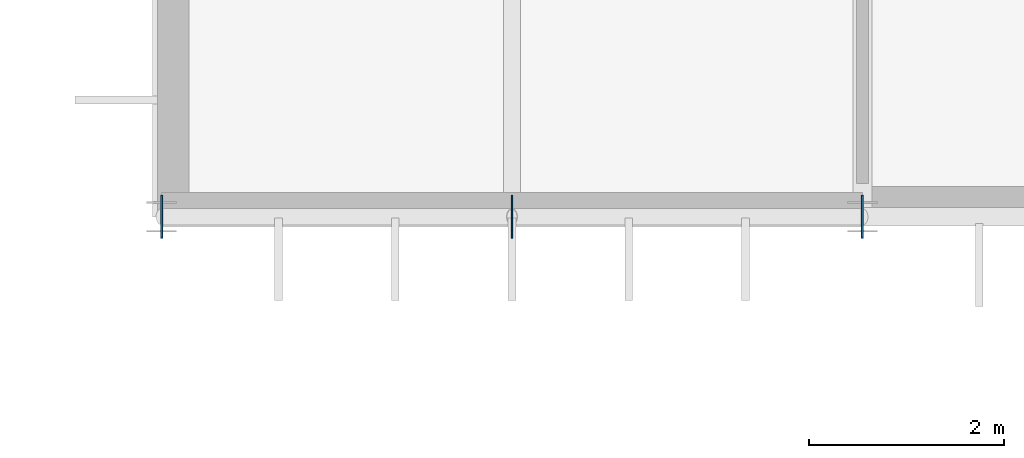
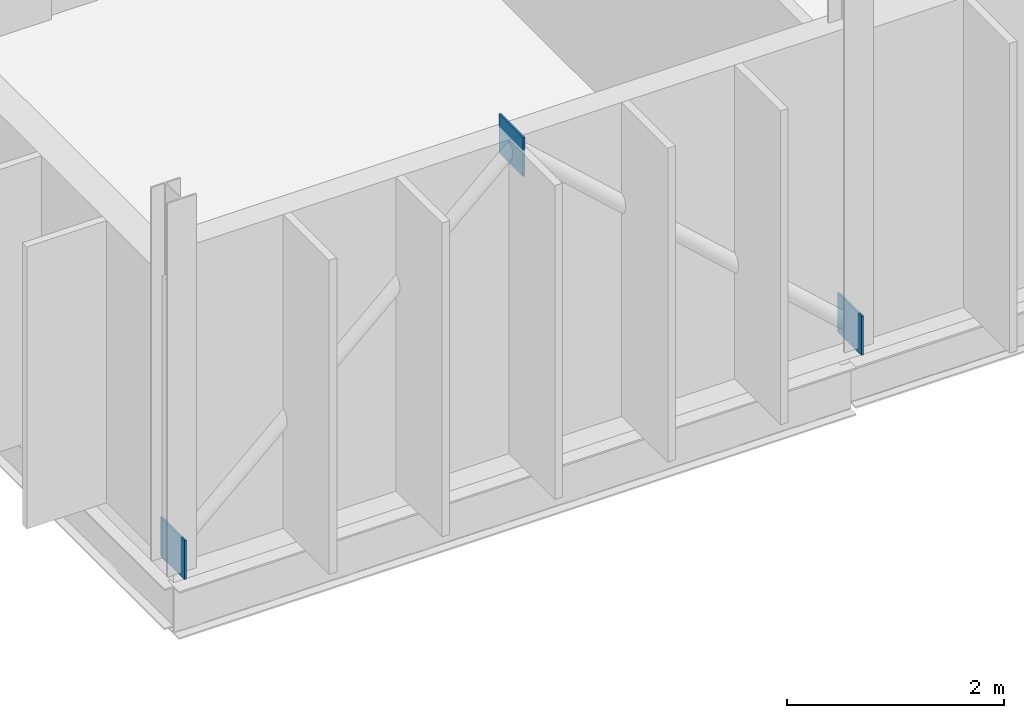
# One storey, part 39 of 61: 3 plates.
"""IFC4 building model written with IfcOpenShell, lengths in metres."""

import ifcopenshell
import ifcopenshell.guid

model = None  # the IFC model being written
_history = None  # IfcOwnerHistory: only IFC2X3 demands one
_inside = {}  # id of a spatial element -> (the spatial element, [elements in it])
_under = {}  # id of a project, library or spatial element -> (it, [spatial elements below it])
_declared = {}  # id of a project -> (the project, [libraries it declares])
_typed = {}  # id of a type object -> (the type object, [elements of that type])
_made_of = {}  # id of a material, layer set ... -> (it, [elements and type objects made of it])


def new_model(schema):
    """Start an empty IFC model of exactly this schema.

    Asked for "IFC4X3", IfcOpenShell would pick the latest addendum, in which some entities
    have other attributes; the version numbers below select the first issue.
    IFC2X3 requires an IfcOwnerHistory on every rooted entity: one is made here for all.
    """
    global model, _history
    if schema == "IFC4X3":
        model = ifcopenshell.file(schema_version=(4, 3, 0, 0))
    else:
        model = ifcopenshell.file(schema=schema)
    _inside.clear()
    _under.clear()
    _declared.clear()
    _typed.clear()
    _made_of.clear()
    _history = None
    if model.schema == "IFC2X3":
        org = make("IfcOrganization", Name="unknown")
        user = make(
            "IfcPersonAndOrganization",
            ThePerson=make("IfcPerson", FamilyName="unknown"),
            TheOrganization=org,
        )
        app = make(
            "IfcApplication",
            ApplicationDeveloper=org,
            Version="unknown",
            ApplicationFullName="unknown",
            ApplicationIdentifier="unknown",
        )
        _history = make(
            "IfcOwnerHistory",
            OwningUser=user,
            OwningApplication=app,
            ChangeAction="ADDED",
            CreationDate=0,
        )
    return model


def make(cls, **values):
    """One entity of the class cls with the attributes given. An attribute that is None is left unset."""
    return model.create_entity(
        cls, **{name: value for name, value in values.items() if value is not None}
    )


def rooted(cls, **values):
    """An entity with a GlobalId (a new one), such as an element, a storey or a relation."""
    return make(cls, GlobalId=ifcopenshell.guid.new(), OwnerHistory=_history, **values)


def si_unit(unit_type, name, prefix=None):
    """IfcSIUnit, for example si_unit("LENGTHUNIT", "METRE", prefix="MILLI")."""
    return make("IfcSIUnit", UnitType=unit_type, Prefix=prefix, Name=name)


def assignment(units):
    """IfcUnitAssignment: the units of a project."""
    return None if units is None else make("IfcUnitAssignment", Units=units)


def point(xyz):
    """IfcCartesianPoint."""
    return None if xyz is None else make("IfcCartesianPoint", Coordinates=xyz)


def direction(xyz):
    """IfcDirection."""
    return None if xyz is None else make("IfcDirection", DirectionRatios=xyz)


def frame(location, z_axis=None, x_axis=None):
    """IfcAxis2Placement3D, a coordinate frame: its origin and axes. An axis left out is left unset."""
    return make(
        "IfcAxis2Placement3D",
        Location=point(location),
        Axis=direction(z_axis),
        RefDirection=direction(x_axis),
    )


def frame_2d(location, x_axis=None):
    """IfcAxis2Placement2D, a coordinate frame in the plane: its origin and x axis."""
    return make(
        "IfcAxis2Placement2D", Location=point(location), RefDirection=direction(x_axis)
    )


def origin():
    """The frame at (0, 0, 0) with its axes left unset."""
    return frame((0.0, 0.0, 0.0))


def origin_2d():
    """The frame at (0, 0) in the plane with its x axis left unset."""
    return frame_2d((0.0, 0.0))


def place(relative_to, where):
    """IfcLocalPlacement: puts the frame where relative to a parent placement (None: the world)."""
    return make(
        "IfcLocalPlacement", PlacementRelTo=relative_to, RelativePlacement=where
    )


def context(
    kind, dimensions, precision=None, world=None, true_north=None, identifier=None
):
    """IfcGeometricRepresentationContext, for example the 3D "Model" context."""
    return make(
        "IfcGeometricRepresentationContext",
        ContextIdentifier=identifier,
        ContextType=kind,
        CoordinateSpaceDimension=dimensions,
        Precision=precision,
        WorldCoordinateSystem=world,
        TrueNorth=true_north,
    )


def subcontext(parent, identifier, kind, view, scale=None):
    """IfcGeometricRepresentationSubContext, for example "Body" below "Model"."""
    return make(
        "IfcGeometricRepresentationSubContext",
        ContextIdentifier=identifier,
        ContextType=kind,
        ParentContext=parent,
        TargetScale=scale,
        TargetView=view,
    )


def project(units=None, contexts=None):
    """IfcProject with its units and contexts."""
    return rooted(
        "IfcProject",
        Name="project",
        RepresentationContexts=contexts,
        UnitsInContext=assignment(units),
    )


def spatial(cls, under=None, at=None, **own):
    """A site, building, storey or space (cls), placed at a placement, below another one or the project."""
    s = rooted(cls, ObjectPlacement=at, **own)
    if under is not None:
        _under.setdefault(under.id(), (under, []))[1].append(s)
    return s


def profile(cls, at=None, kind="AREA", **sizes):
    """A parametric profile (cls). Its sizes go by their IFC names, for example OverallWidth=200.0."""
    return make(cls, ProfileType=kind, Position=at, **sizes)


def rectangle(**sizes):
    """IfcRectangleProfileDef."""
    return profile("IfcRectangleProfileDef", **sizes)


def extrude(swept, where, along, depth):
    """IfcExtrudedAreaSolid: the profile swept, set in the frame where, extruded along a direction by depth."""
    return make(
        "IfcExtrudedAreaSolid",
        SweptArea=swept,
        Position=where,
        ExtrudedDirection=direction(along),
        Depth=depth,
    )


def shape(context_of_items, identifier, shape_type, items):
    """IfcShapeRepresentation: the items that make up one representation, for example the "Body"."""
    return make(
        "IfcShapeRepresentation",
        ContextOfItems=context_of_items,
        RepresentationIdentifier=identifier,
        RepresentationType=shape_type,
        Items=items,
    )


def material(Name=None, Category=None):
    """IfcMaterial."""
    return make("IfcMaterial", Name=Name, Category=Category)


def layer(
    of_material, thickness, ventilated=None, Name=None, Category=None, Priority=None
):
    """IfcMaterialLayer: one layer of a wall or slab, of a material (None: an air gap)."""
    return make(
        "IfcMaterialLayer",
        Material=of_material,
        LayerThickness=thickness,
        IsVentilated=ventilated,
        Name=Name,
        Category=Category,
        Priority=Priority,
    )


def layer_set(layers, Name=None):
    """IfcMaterialLayerSet."""
    return make("IfcMaterialLayerSet", MaterialLayers=layers, LayerSetName=Name)


def made_of(thing, what):
    """Note that an element or type object is made of a material, layer set ...; save() writes the relation."""
    if what is not None:
        _made_of.setdefault(what.id(), (what, []))[1].append(thing)
    return thing


def type_object(cls, material=None, **own):
    """A type object (cls), such as IfcWallType, which elements share."""
    return made_of(rooted(cls, **own), material)


def element(
    cls,
    number,
    at=None,
    inside=None,
    cuts=None,
    type_object=None,
    material=None,
    context=None,
    identifier="Body",
    shape_type=None,
    held_by="IfcProductDefinitionShape",
    body=None,
    shapes=None,
    **own,
):
    """One element of the class cls, such as IfcWall. Its Tag is "e" and its number.

    at: its placement. inside: the storey or other place that contains it. cuts: it is an
    opening in that element (IfcRelVoidsElement). A single representation is given by context,
    identifier, shape_type and body (its items); several are given by shapes. held_by: the class
    of the entity that holds the representations. save() writes the other relations.
    """
    e = rooted(cls, Tag="e%d" % number, ObjectPlacement=at, **own)
    if body is not None:
        shapes = [shape(context, identifier, shape_type, body)]
    if shapes is not None:
        e.Representation = make(held_by, Representations=shapes)
    if inside is not None:
        _inside.setdefault(inside.id(), (inside, []))[1].append(e)
    if cuts is not None:
        rooted(
            "IfcRelVoidsElement", RelatingBuildingElement=cuts, RelatedOpeningElement=e
        )
    if type_object is not None:
        _typed.setdefault(type_object.id(), (type_object, []))[1].append(e)
    return made_of(e, material)


def aggregate(whole, parts):
    """IfcRelAggregates: a whole, such as a stair, and the parts it consists of."""
    return rooted("IfcRelAggregates", RelatingObject=whole, RelatedObjects=parts)


def save(model, path):
    """Write the relations noted so far, then the file.

    IfcRelAggregates (storeys below a building ...), IfcRelContainedInSpatialStructure (elements
    in a storey), IfcRelDefinesByType, IfcRelAssociatesMaterial and IfcRelDeclares: one each for
    every whole, place, type object, material and project.
    """
    for whole, parts in _under.values():
        aggregate(whole, parts)
    for where, things in _inside.values():
        rooted(
            "IfcRelContainedInSpatialStructure",
            RelatedElements=things,
            RelatingStructure=where,
        )
    for kind, things in _typed.values():
        rooted("IfcRelDefinesByType", RelatedObjects=things, RelatingType=kind)
    for what, things in _made_of.values():
        rooted("IfcRelAssociatesMaterial", RelatedObjects=things, RelatingMaterial=what)
    for by, libraries in _declared.values():
        rooted("IfcRelDeclares", RelatingContext=by, RelatedDefinitions=libraries)
    model.write(path)


model = new_model("IFC4")

# Units and contexts
model_context = context("Model", 3, precision=1e-05, world=origin(), true_north=direction((0.0, 1.0)))
body_context = subcontext(model_context, "Body", "Model", "MODEL_VIEW")
ifc_project = project(units=[si_unit("LENGTHUNIT", "METRE"), si_unit("AREAUNIT", "SQUARE_METRE"), si_unit("VOLUMEUNIT", "CUBIC_METRE"), si_unit("PLANEANGLEUNIT", "RADIAN"), si_unit("MASSUNIT", "GRAM", prefix="KILO")], contexts=[model_context])

# Site, building, storey
site_placement = place(None, origin())
site = spatial("IfcSite", under=ifc_project, at=site_placement, CompositionType="ELEMENT")
building_placement = place(site_placement, origin())
building = spatial("IfcBuilding", under=site, at=building_placement, Name="Qelthora Terrace Specialist Clinic", CompositionType="ELEMENT")
storey_placement = place(building_placement, frame((0.0, 0.0, 13.199951171875)))
storey = spatial("IfcBuildingStorey", under=building, at=storey_placement, Name="L03", CompositionType="ELEMENT", Elevation=13.199951171875)

# Plates
ifc_material = material(Name="Steel S355", Category="steel")
ifc_layer = layer(ifc_material, 0.02001953125)
ifc_layer_set = layer_set([ifc_layer], Name="Steel S355")
plate_type = type_object("IfcPlateType", Name="PLT-GUS-480X480X20", PredefinedType="USERDEFINED", material=ifc_layer_set)
for number, where, z_axis, x_axis, name in (
    (1, (93.60009765625, 33.60009765625, -0.0400390625), (0.0, 0.0, 1.0), (1.0, 0.0, 0.0), "Steel truss node plate GPLT-0212"),
    (2, (97.199951171875, 33.60009765625, 3.22998046875), (0.0, 0.0, 1.0), (1.0, 0.0, 0.0), "Steel truss node plate GPLT-0213"),
    (3, (100.800048828125, 33.60009765625, -0.0400390625), (0.0, 0.0, 1.0), (1.0, 0.0, 0.0), "Steel truss node plate GPLT-0214"),
):
    element("IfcPlate", number, at=place(storey_placement, frame(where, z_axis=z_axis, x_axis=x_axis)), inside=storey, type_object=plate_type, Name=name, ObjectType="GUSSET PLATE", PredefinedType="USERDEFINED", context=body_context, shape_type="SweptSolid", body=[
        extrude(rectangle(XDim=0.02001953125, YDim=0.43994140625, at=origin_2d()), origin(), (0.0, 0.0, 1.0), 0.43994140625),
    ])

save(model, "model.ifc")
